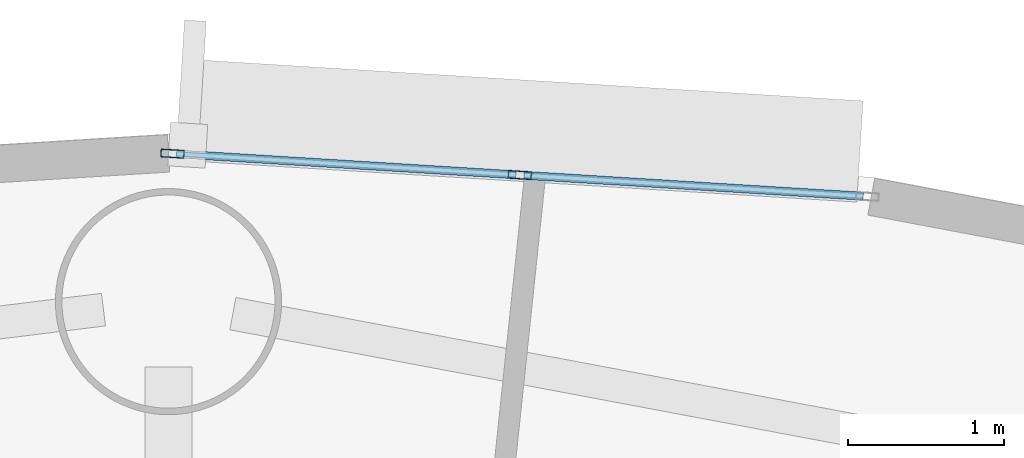
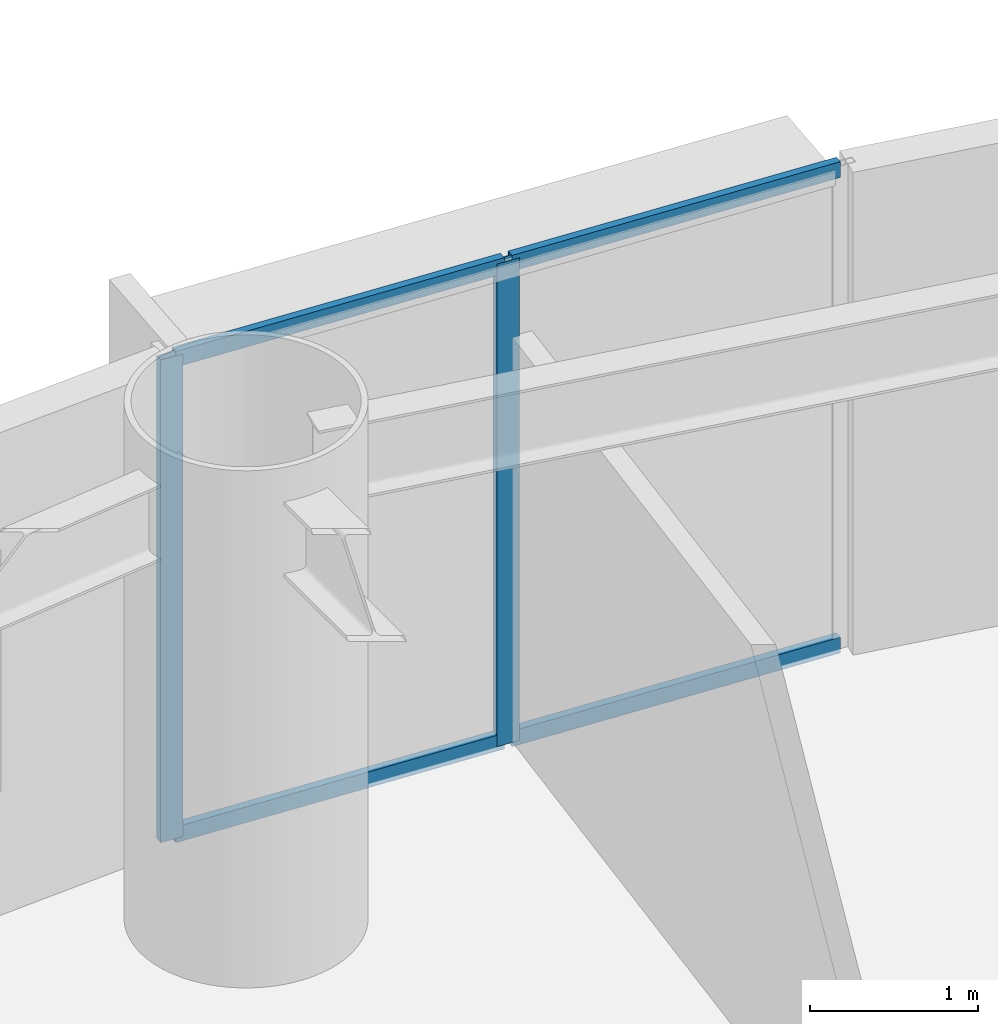
# One storey, part 4 of 21: 6 members, 1 element without a shape of its own.
"""IFC4 building model written with IfcOpenShell, lengths in metres."""

import ifcopenshell
import ifcopenshell.guid

model = None  # the IFC model being written
_history = None  # IfcOwnerHistory: only IFC2X3 demands one
_inside = {}  # id of a spatial element -> (the spatial element, [elements in it])
_under = {}  # id of a project, library or spatial element -> (it, [spatial elements below it])
_declared = {}  # id of a project -> (the project, [libraries it declares])
_typed = {}  # id of a type object -> (the type object, [elements of that type])
_made_of = {}  # id of a material, layer set ... -> (it, [elements and type objects made of it])


def new_model(schema):
    """Start an empty IFC model of exactly this schema.

    Asked for "IFC4X3", IfcOpenShell would pick the latest addendum, in which some entities
    have other attributes; the version numbers below select the first issue.
    IFC2X3 requires an IfcOwnerHistory on every rooted entity: one is made here for all.
    """
    global model, _history
    if schema == "IFC4X3":
        model = ifcopenshell.file(schema_version=(4, 3, 0, 0))
    else:
        model = ifcopenshell.file(schema=schema)
    _inside.clear()
    _under.clear()
    _declared.clear()
    _typed.clear()
    _made_of.clear()
    _history = None
    if model.schema == "IFC2X3":
        org = make("IfcOrganization", Name="unknown")
        user = make(
            "IfcPersonAndOrganization",
            ThePerson=make("IfcPerson", FamilyName="unknown"),
            TheOrganization=org,
        )
        app = make(
            "IfcApplication",
            ApplicationDeveloper=org,
            Version="unknown",
            ApplicationFullName="unknown",
            ApplicationIdentifier="unknown",
        )
        _history = make(
            "IfcOwnerHistory",
            OwningUser=user,
            OwningApplication=app,
            ChangeAction="ADDED",
            CreationDate=0,
        )
    return model


def make(cls, **values):
    """One entity of the class cls with the attributes given. An attribute that is None is left unset."""
    return model.create_entity(
        cls, **{name: value for name, value in values.items() if value is not None}
    )


def rooted(cls, **values):
    """An entity with a GlobalId (a new one), such as an element, a storey or a relation."""
    return make(cls, GlobalId=ifcopenshell.guid.new(), OwnerHistory=_history, **values)


def si_unit(unit_type, name, prefix=None):
    """IfcSIUnit, for example si_unit("LENGTHUNIT", "METRE", prefix="MILLI")."""
    return make("IfcSIUnit", UnitType=unit_type, Prefix=prefix, Name=name)


def assignment(units):
    """IfcUnitAssignment: the units of a project."""
    return None if units is None else make("IfcUnitAssignment", Units=units)


def point(xyz):
    """IfcCartesianPoint."""
    return None if xyz is None else make("IfcCartesianPoint", Coordinates=xyz)


def direction(xyz):
    """IfcDirection."""
    return None if xyz is None else make("IfcDirection", DirectionRatios=xyz)


def frame(location, z_axis=None, x_axis=None):
    """IfcAxis2Placement3D, a coordinate frame: its origin and axes. An axis left out is left unset."""
    return make(
        "IfcAxis2Placement3D",
        Location=point(location),
        Axis=direction(z_axis),
        RefDirection=direction(x_axis),
    )


def frame_2d(location, x_axis=None):
    """IfcAxis2Placement2D, a coordinate frame in the plane: its origin and x axis."""
    return make(
        "IfcAxis2Placement2D", Location=point(location), RefDirection=direction(x_axis)
    )


def origin():
    """The frame at (0, 0, 0) with its axes left unset."""
    return frame((0.0, 0.0, 0.0))


def origin_2d():
    """The frame at (0, 0) in the plane with its x axis left unset."""
    return frame_2d((0.0, 0.0))


def place(relative_to, where):
    """IfcLocalPlacement: puts the frame where relative to a parent placement (None: the world)."""
    return make(
        "IfcLocalPlacement", PlacementRelTo=relative_to, RelativePlacement=where
    )


def context(
    kind, dimensions, precision=None, world=None, true_north=None, identifier=None
):
    """IfcGeometricRepresentationContext, for example the 3D "Model" context."""
    return make(
        "IfcGeometricRepresentationContext",
        ContextIdentifier=identifier,
        ContextType=kind,
        CoordinateSpaceDimension=dimensions,
        Precision=precision,
        WorldCoordinateSystem=world,
        TrueNorth=true_north,
    )


def subcontext(parent, identifier, kind, view, scale=None):
    """IfcGeometricRepresentationSubContext, for example "Body" below "Model"."""
    return make(
        "IfcGeometricRepresentationSubContext",
        ContextIdentifier=identifier,
        ContextType=kind,
        ParentContext=parent,
        TargetScale=scale,
        TargetView=view,
    )


def project(units=None, contexts=None):
    """IfcProject with its units and contexts."""
    return rooted(
        "IfcProject",
        Name="project",
        RepresentationContexts=contexts,
        UnitsInContext=assignment(units),
    )


def spatial(cls, under=None, at=None, **own):
    """A site, building, storey or space (cls), placed at a placement, below another one or the project."""
    s = rooted(cls, ObjectPlacement=at, **own)
    if under is not None:
        _under.setdefault(under.id(), (under, []))[1].append(s)
    return s


def profile(cls, at=None, kind="AREA", **sizes):
    """A parametric profile (cls). Its sizes go by their IFC names, for example OverallWidth=200.0."""
    return make(cls, ProfileType=kind, Position=at, **sizes)


def hollow_rectangle(**sizes):
    """IfcRectangleHollowProfileDef."""
    return profile("IfcRectangleHollowProfileDef", **sizes)


def extrude(swept, where, along, depth):
    """IfcExtrudedAreaSolid: the profile swept, set in the frame where, extruded along a direction by depth."""
    return make(
        "IfcExtrudedAreaSolid",
        SweptArea=swept,
        Position=where,
        ExtrudedDirection=direction(along),
        Depth=depth,
    )


def shape(context_of_items, identifier, shape_type, items):
    """IfcShapeRepresentation: the items that make up one representation, for example the "Body"."""
    return make(
        "IfcShapeRepresentation",
        ContextOfItems=context_of_items,
        RepresentationIdentifier=identifier,
        RepresentationType=shape_type,
        Items=items,
    )


def source(mapping_origin, context_of_items, identifier, shape_type, items):
    """IfcRepresentationMap: a shape defined once, which mapped items show again and again."""
    return make(
        "IfcRepresentationMap",
        MappingOrigin=mapping_origin,
        MappedRepresentation=shape(context_of_items, identifier, shape_type, items),
    )


def transform(
    local_origin,
    x_axis=None,
    y_axis=None,
    z_axis=None,
    scale=None,
    scale2=None,
    scale3=None,
    uniform=True,
):
    """IfcCartesianTransformationOperator3D, or its non-uniform kind. x_axis, y_axis, z_axis: its Axis1, 2, 3."""
    if uniform:
        return make(
            "IfcCartesianTransformationOperator3D",
            Axis1=direction(x_axis),
            Axis2=direction(y_axis),
            LocalOrigin=point(local_origin),
            Scale=scale,
            Axis3=direction(z_axis),
        )
    return make(
        "IfcCartesianTransformationOperator3DnonUniform",
        Axis1=direction(x_axis),
        Axis2=direction(y_axis),
        LocalOrigin=point(local_origin),
        Scale=scale,
        Axis3=direction(z_axis),
        Scale2=scale2,
        Scale3=scale3,
    )


def mapped(mapping_source, mapping_target):
    """IfcMappedItem: shows the shape of a source again, moved by a transform."""
    return make(
        "IfcMappedItem", MappingSource=mapping_source, MappingTarget=mapping_target
    )


def material(Name=None, Category=None):
    """IfcMaterial."""
    return make("IfcMaterial", Name=Name, Category=Category)


def layer(
    of_material, thickness, ventilated=None, Name=None, Category=None, Priority=None
):
    """IfcMaterialLayer: one layer of a wall or slab, of a material (None: an air gap)."""
    return make(
        "IfcMaterialLayer",
        Material=of_material,
        LayerThickness=thickness,
        IsVentilated=ventilated,
        Name=Name,
        Category=Category,
        Priority=Priority,
    )


def layer_set(layers, Name=None):
    """IfcMaterialLayerSet."""
    return make("IfcMaterialLayerSet", MaterialLayers=layers, LayerSetName=Name)


def material_profile(
    of_material, cross_section, Name=None, Category=None, Priority=None
):
    """IfcMaterialProfile: a cross section and its material."""
    return make(
        "IfcMaterialProfile",
        Name=Name,
        Material=of_material,
        Profile=cross_section,
        Priority=Priority,
        Category=Category,
    )


def profile_set(profiles, Name=None, composite=None):
    """IfcMaterialProfileSet."""
    return make(
        "IfcMaterialProfileSet",
        Name=Name,
        MaterialProfiles=profiles,
        CompositeProfile=composite,
    )


def made_of(thing, what):
    """Note that an element or type object is made of a material, layer set ...; save() writes the relation."""
    if what is not None:
        _made_of.setdefault(what.id(), (what, []))[1].append(thing)
    return thing


def type_object(cls, material=None, **own):
    """A type object (cls), such as IfcWallType, which elements share."""
    return made_of(rooted(cls, **own), material)


def element(
    cls,
    number,
    at=None,
    inside=None,
    cuts=None,
    type_object=None,
    material=None,
    context=None,
    identifier="Body",
    shape_type=None,
    held_by="IfcProductDefinitionShape",
    body=None,
    shapes=None,
    **own,
):
    """One element of the class cls, such as IfcWall. Its Tag is "e" and its number.

    at: its placement. inside: the storey or other place that contains it. cuts: it is an
    opening in that element (IfcRelVoidsElement). A single representation is given by context,
    identifier, shape_type and body (its items); several are given by shapes. held_by: the class
    of the entity that holds the representations. save() writes the other relations.
    """
    e = rooted(cls, Tag="e%d" % number, ObjectPlacement=at, **own)
    if body is not None:
        shapes = [shape(context, identifier, shape_type, body)]
    if shapes is not None:
        e.Representation = make(held_by, Representations=shapes)
    if inside is not None:
        _inside.setdefault(inside.id(), (inside, []))[1].append(e)
    if cuts is not None:
        rooted(
            "IfcRelVoidsElement", RelatingBuildingElement=cuts, RelatedOpeningElement=e
        )
    if type_object is not None:
        _typed.setdefault(type_object.id(), (type_object, []))[1].append(e)
    return made_of(e, material)


def aggregate(whole, parts):
    """IfcRelAggregates: a whole, such as a stair, and the parts it consists of."""
    return rooted("IfcRelAggregates", RelatingObject=whole, RelatedObjects=parts)


def save(model, path):
    """Write the relations noted so far, then the file.

    IfcRelAggregates (storeys below a building ...), IfcRelContainedInSpatialStructure (elements
    in a storey), IfcRelDefinesByType, IfcRelAssociatesMaterial and IfcRelDeclares: one each for
    every whole, place, type object, material and project.
    """
    for whole, parts in _under.values():
        aggregate(whole, parts)
    for where, things in _inside.values():
        rooted(
            "IfcRelContainedInSpatialStructure",
            RelatedElements=things,
            RelatingStructure=where,
        )
    for kind, things in _typed.values():
        rooted("IfcRelDefinesByType", RelatedObjects=things, RelatingType=kind)
    for what, things in _made_of.values():
        rooted("IfcRelAssociatesMaterial", RelatedObjects=things, RelatingMaterial=what)
    for by, libraries in _declared.values():
        rooted("IfcRelDeclares", RelatingContext=by, RelatedDefinitions=libraries)
    model.write(path)


model = new_model("IFC4")

# Units and contexts
model_context = context("Model", 3, precision=1e-05, world=origin(), true_north=direction((0.0, 1.0)))
body_context = subcontext(model_context, "Body", "Model", "MODEL_VIEW")
ifc_project = project(units=[si_unit("LENGTHUNIT", "METRE"), si_unit("AREAUNIT", "SQUARE_METRE"), si_unit("VOLUMEUNIT", "CUBIC_METRE"), si_unit("PLANEANGLEUNIT", "RADIAN"), si_unit("MASSUNIT", "GRAM", prefix="KILO")], contexts=[model_context])

# Site, building, storey
site_placement = place(None, origin())
site = spatial("IfcSite", under=ifc_project, at=site_placement, CompositionType="ELEMENT")
building_placement = place(site_placement, origin())
building = spatial("IfcBuilding", under=site, at=building_placement, Name="Linh Dai School and Residence Tower", CompositionType="ELEMENT")
storey_placement = place(building_placement, frame((0.0, 0.0, 115.949951171875)))
storey = spatial("IfcBuildingStorey", under=building, at=storey_placement, Name="L27", CompositionType="ELEMENT", Elevation=115.949951171875)

# Curtain wall, members
ifc_material_1 = material(Name="Aluminium Anodised Curtain Wall", Category="aluminium")
ifc_layer = layer(ifc_material_1, 0.14990234375)
ifc_layer_set = layer_set([ifc_layer], Name="Aluminium Anodised Curtain Wall")
curtain_wall_type = type_object("IfcCurtainWallType", Name="CW-SYS-4", PredefinedType="USERDEFINED", material=ifc_layer_set)
curtain_wall_placement = place(storey_placement, origin())
curtain_wall = element("IfcCurtainWall", 1, at=curtain_wall_placement, inside=storey, type_object=curtain_wall_type, Name="L27 CW4 Curtain Wall 10", ObjectType="RIBBON CURTAIN WALL", PredefinedType="USERDEFINED")
ifc_material_2 = material(Name="Aluminium Alloy 6063-T6", Category="aluminium")
ifc_material_profile_1 = material_profile(ifc_material_2, hollow_rectangle(XDim=0.052001953125, YDim=0.14990234375, WallThickness=0.00390625, at=origin_2d()), Name="RHS 150x52x4")
ifc_profile_set_1 = profile_set([ifc_material_profile_1], Name="Aluminium Alloy 6063-T6")
member_type_1 = type_object("IfcMemberType", Name="CW-SYS-4-MUL", PredefinedType="MULLION", material=ifc_profile_set_1)
shared_shape_1 = source(origin(), body_context, "Body", "SweptSolid", [
    extrude(hollow_rectangle(XDim=0.052001953125, YDim=0.14990234375, WallThickness=0.00390625, at=origin_2d()), origin(), (0.0, 0.0, 1.0), 3.5),
])
member_1_placement = place(storey_placement, frame((36.02587890625, 49.50341796875, 0.0), z_axis=(0.0, 0.0, 1.0), x_axis=(0.061509255091, 0.998106513123, 0.0)))
member_1 = element("IfcMember", 2, at=member_1_placement, type_object=member_type_1, Name="CW4 mullion 1", PredefinedType="MULLION", context=body_context, shape_type="MappedRepresentation", body=[
    mapped(shared_shape_1, transform((0.0, 0.0, 0.0), x_axis=(1.0, 0.0, 0.0), y_axis=(0.0, 1.0, 0.0), z_axis=(0.0, 0.0, 1.0), scale=1.0)),
])
member_2_placement = place(storey_placement, frame((38.252685546875, 49.3662109375, 0.0), z_axis=(0.0, 0.0, 1.0), x_axis=(0.061509255091, 0.998106513123, 0.0)))
member_2 = element("IfcMember", 3, at=member_2_placement, type_object=member_type_1, Name="CW4 mullion 2", PredefinedType="MULLION", context=body_context, shape_type="MappedRepresentation", body=[
    mapped(shared_shape_1, transform((0.0, 0.0, 0.0), x_axis=(1.0, 0.0, 0.0), y_axis=(0.0, 1.0, 0.0), z_axis=(0.0, 0.0, 1.0), scale=1.0)),
])
ifc_material_profile_2 = material_profile(ifc_material_2, hollow_rectangle(XDim=0.052001953125, YDim=0.114990234375, WallThickness=0.00390625, at=origin_2d()), Name="RHS 115x52x4")
ifc_profile_set_2 = profile_set([ifc_material_profile_2], Name="Aluminium Alloy 6063-T6")
member_type_2 = type_object("IfcMemberType", Name="CW-SYS-4-TRN", PredefinedType="USERDEFINED", material=ifc_profile_set_2)
shared_shape_2 = source(origin(), body_context, "Body", "SweptSolid", [
    extrude(hollow_rectangle(XDim=0.052001953125, YDim=0.114990234375, WallThickness=0.00390625, at=origin_2d()), origin(), (0.0, 0.0, 1.0), 2.178955078125),
])
member_3_placement = place(storey_placement, frame((36.052001953125, 49.501708984375, 0.026123046875), z_axis=(0.998106264791, -0.061513284617, 0.0), x_axis=(0.061513284617, 0.998106264791, 0.0)))
member_3 = element("IfcMember", 4, at=member_3_placement, type_object=member_type_2, Name="CW4 transom 1.1", ObjectType="TRANSOM", PredefinedType="USERDEFINED", context=body_context, shape_type="MappedRepresentation", body=[
    mapped(shared_shape_2, transform((0.0, 0.0, 0.0), x_axis=(1.0, 0.0, 0.0), y_axis=(0.0, 1.0, 0.0), z_axis=(0.0, 0.0, 1.0), scale=1.0)),
])
member_4_placement = place(storey_placement, frame((36.052001953125, 49.501708984375, 3.47412109375), z_axis=(0.998106264791, -0.061513284617, 0.0), x_axis=(0.061513284617, 0.998106264791, 0.0)))
member_4 = element("IfcMember", 5, at=member_4_placement, type_object=member_type_2, Name="CW4 transom 1.2", ObjectType="TRANSOM", PredefinedType="USERDEFINED", context=body_context, shape_type="MappedRepresentation", body=[
    mapped(shared_shape_2, transform((0.0, 0.0, 0.0), x_axis=(1.0, 0.0, 0.0), y_axis=(0.0, 1.0, 0.0), z_axis=(0.0, 0.0, 1.0), scale=1.0)),
])
member_5_placement = place(storey_placement, frame((38.27880859375, 49.364501953125, 0.026123046875), z_axis=(0.998106264791, -0.061513284617, 0.0), x_axis=(0.061513284617, 0.998106264791, 0.0)))
member_5 = element("IfcMember", 6, at=member_5_placement, type_object=member_type_2, Name="CW4 transom 2.1", ObjectType="TRANSOM", PredefinedType="USERDEFINED", context=body_context, shape_type="MappedRepresentation", body=[
    mapped(shared_shape_2, transform((0.0, 0.0, 0.0), x_axis=(1.0, 0.0, 0.0), y_axis=(0.0, 1.0, 0.0), z_axis=(0.0, 0.0, 1.0), scale=1.0)),
])
member_6_placement = place(storey_placement, frame((38.27880859375, 49.364501953125, 3.47412109375), z_axis=(0.998106264791, -0.061513284617, 0.0), x_axis=(0.061513284617, 0.998106264791, 0.0)))
member_6 = element("IfcMember", 7, at=member_6_placement, type_object=member_type_2, Name="CW4 transom 2.2", ObjectType="TRANSOM", PredefinedType="USERDEFINED", context=body_context, shape_type="MappedRepresentation", body=[
    mapped(shared_shape_2, transform((0.0, 0.0, 0.0), x_axis=(1.0, 0.0, 0.0), y_axis=(0.0, 1.0, 0.0), z_axis=(0.0, 0.0, 1.0), scale=1.0)),
])
aggregate(curtain_wall, [member_1, member_2, member_3, member_4, member_5, member_6])

save(model, "model.ifc")
